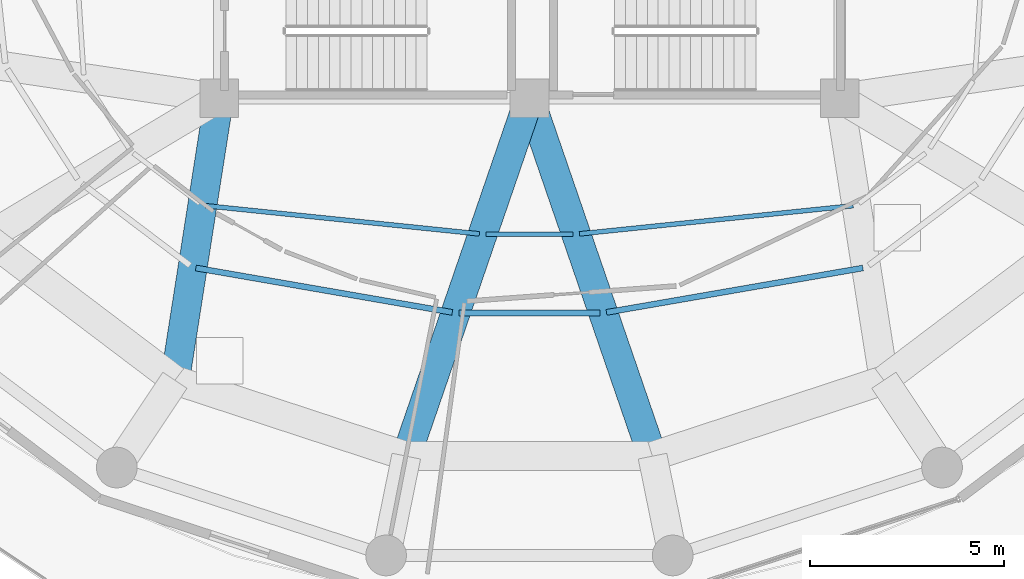
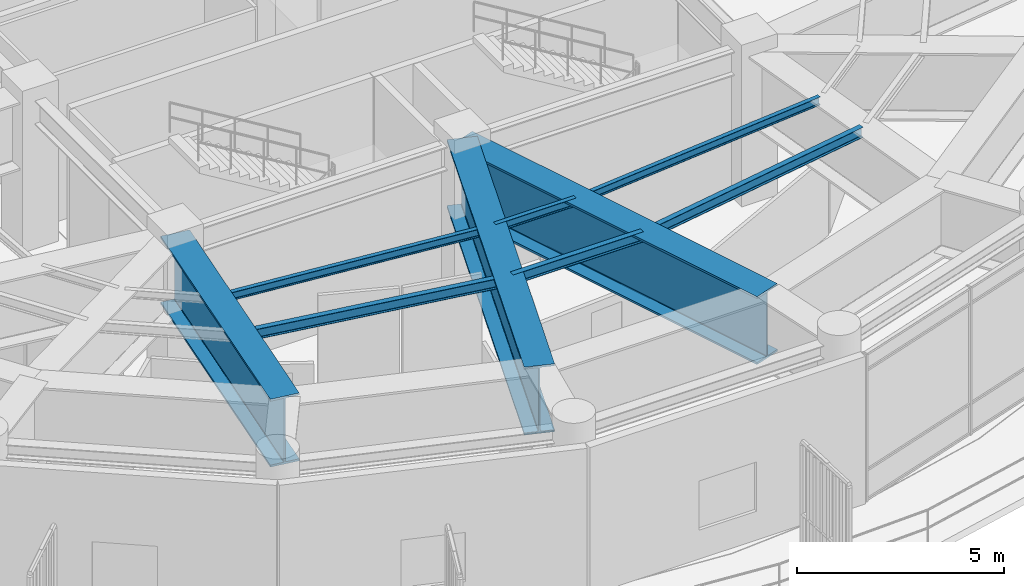
# One storey, part 5 of 29: 9 beams.
"""IFC4 building model written with IfcOpenShell, lengths in metres."""

from ifc_helpers import new_model, si_unit, direction, frame, origin, origin_2d, place, context, subcontext, project, spatial, i_section, extrude, material, material_profile, profile_set, type_object, element, save


model = new_model("IFC4")

# Units and contexts
model_context = context("Model", 3, precision=1e-05, world=origin(), true_north=direction((0.0, 1.0)))
body_context = subcontext(model_context, "Body", "Model", "MODEL_VIEW")
ifc_project = project(units=[si_unit("LENGTHUNIT", "METRE"), si_unit("AREAUNIT", "SQUARE_METRE"), si_unit("VOLUMEUNIT", "CUBIC_METRE"), si_unit("PLANEANGLEUNIT", "RADIAN"), si_unit("MASSUNIT", "GRAM", prefix="KILO")], contexts=[model_context])

# Site, building, storey
site_placement = place(None, origin())
site = spatial("IfcSite", under=ifc_project, at=site_placement, CompositionType="ELEMENT")
building_placement = place(site_placement, origin())
building = spatial("IfcBuilding", under=site, at=building_placement, Name="Kelanora Arch Commons", CompositionType="ELEMENT")
storey_placement = place(building_placement, frame((0.0, 0.0, 238.199951171875)))
storey = spatial("IfcBuildingStorey", under=building, at=storey_placement, Name="L61", CompositionType="ELEMENT", Elevation=238.199951171875)

# Beams
ifc_material = material(Name="Steel S355", Category="steel")
ifc_material_profile_1 = material_profile(ifc_material, i_section(OverallWidth=0.14990234375, OverallDepth=0.300048828125, WebThickness=0.007080078125, FlangeThickness=0.0107421875, FilletRadius=0.014892578125, at=origin_2d()), Name="IPE300")
ifc_profile_set_1 = profile_set([ifc_material_profile_1], Name="Steel S355")
beam_type_1 = type_object("IfcBeamType", Name="BM-JST-01", PredefinedType="JOIST", material=ifc_profile_set_1)
beam_1_placement = place(storey_placement, frame((65.39990234375, 46.622314453125, 4.2099609375), z_axis=(0.985321568263, -0.170708544357, 0.0), x_axis=(0.170708544357, 0.985321568263, 0.0)))
element("IfcBeam", 1, at=beam_1_placement, inside=storey, type_object=beam_type_1, Name="Secondary Chord Joist BJB-24 L61", PredefinedType="JOIST", context=body_context, shape_type="SweptSolid", body=[
    extrude(i_section(OverallWidth=0.14990234375, OverallDepth=0.300048828125, WebThickness=0.007080078125, FlangeThickness=0.0107421875, FilletRadius=0.014892578125, at=origin_2d()), origin(), (0.0, 0.0, 1.0), 6.710205078125),
])
beam_2_placement = place(storey_placement, frame((72.180419921875, 45.462158203125, 4.2099609375), z_axis=(1.0, 0.0, 0.0), x_axis=(0.0, 1.0, 0.0)))
element("IfcBeam", 2, at=beam_2_placement, inside=storey, type_object=beam_type_1, Name="Secondary Chord Joist BJB-26 L61", PredefinedType="JOIST", context=body_context, shape_type="SweptSolid", body=[
    extrude(i_section(OverallWidth=0.14990234375, OverallDepth=0.300048828125, WebThickness=0.007080078125, FlangeThickness=0.0107421875, FilletRadius=0.014892578125, at=origin_2d()), origin(), (0.0, 0.0, 1.0), 3.63916015625),
])
beam_3_placement = place(storey_placement, frame((75.98828125, 45.476806640625, 4.2099609375), z_axis=(0.985321568263, 0.170708544357, 0.0), x_axis=(-0.170708544357, 0.985321568263, 0.0)))
element("IfcBeam", 3, at=beam_3_placement, inside=storey, type_object=beam_type_1, Name="Secondary Chord Joist BJB-28 L61", PredefinedType="JOIST", context=body_context, shape_type="SweptSolid", body=[
    extrude(i_section(OverallWidth=0.14990234375, OverallDepth=0.300048828125, WebThickness=0.007080078125, FlangeThickness=0.0107421875, FilletRadius=0.014892578125, at=origin_2d()), origin(), (0.0, 0.0, 1.0), 6.710205078125),
])
ifc_material_profile_2 = material_profile(ifc_material, i_section(OverallWidth=0.1201171875, OverallDepth=0.239990234375, WebThickness=0.006103515625, FlangeThickness=0.009765625, FilletRadius=0.014892578125, at=origin_2d()), Name="IPE240")
ifc_profile_set_2 = profile_set([ifc_material_profile_2], Name="Steel S355")
beam_type_2 = type_object("IfcBeamType", Name="BM-JST-02", PredefinedType="JOIST", material=ifc_profile_set_2)
beam_4_placement = place(storey_placement, frame((65.6513671875, 48.227783203125, 4.239990234375), z_axis=(0.994746545688, -0.102368500239, 0.0), x_axis=(0.102368500239, 0.994746545688, 0.0)))
element("IfcBeam", 4, at=beam_4_placement, inside=storey, type_object=beam_type_2, Name="Secondary Chord Joist BJA-24 L61", PredefinedType="JOIST", context=body_context, shape_type="SweptSolid", body=[
    extrude(i_section(OverallWidth=0.1201171875, OverallDepth=0.239990234375, WebThickness=0.006103515625, FlangeThickness=0.009765625, FilletRadius=0.014892578125, at=origin_2d()), origin(), (0.0, 0.0, 1.0), 7.09521484375),
])
beam_5_placement = place(storey_placement, frame((72.87890625, 47.492919921875, 4.239990234375), z_axis=(1.0, 0.0, 0.0), x_axis=(0.0, 1.0, 0.0)))
element("IfcBeam", 5, at=beam_5_placement, inside=storey, type_object=beam_type_2, Name="Secondary Chord Joist BJA-26 L61", PredefinedType="JOIST", context=body_context, shape_type="SweptSolid", body=[
    extrude(i_section(OverallWidth=0.1201171875, OverallDepth=0.239990234375, WebThickness=0.006103515625, FlangeThickness=0.009765625, FilletRadius=0.014892578125, at=origin_2d()), origin(), (0.0, 0.0, 1.0), 2.2421875),
])
beam_6_placement = place(storey_placement, frame((75.290771484375, 47.50146484375, 4.239990234375), z_axis=(0.994746545688, 0.102368500239, 0.0), x_axis=(-0.102368500239, 0.994746545688, 0.0)))
element("IfcBeam", 6, at=beam_6_placement, inside=storey, type_object=beam_type_2, Name="Secondary Chord Joist BJA-28 L61", PredefinedType="JOIST", context=body_context, shape_type="SweptSolid", body=[
    extrude(i_section(OverallWidth=0.1201171875, OverallDepth=0.239990234375, WebThickness=0.006103515625, FlangeThickness=0.009765625, FilletRadius=0.014892578125, at=origin_2d()), origin(), (0.0, 0.0, 1.0), 7.09521484375),
])
ifc_material_profile_3 = material_profile(ifc_material, i_section(OverallWidth=0.75, OverallDepth=2.0, WebThickness=0.034912109375, FlangeThickness=0.06005859375, FilletRadius=0.028076171875, at=origin_2d()), Name="PG2000x750")
ifc_profile_set_3 = profile_set([ifc_material_profile_3], Name="Steel S355")
beam_type_3 = type_object("IfcBeamType", Name="BM-XFER-SET", PredefinedType="USERDEFINED", material=ifc_profile_set_3)
beam_7_placement = place(storey_placement, frame((66.0, 51.0, 3.360107421875), z_axis=(-0.154855424129, -0.987937142544, 0.0), x_axis=(0.987937142544, -0.154855424129, 0.0)))
element("IfcBeam", 7, at=beam_7_placement, inside=storey, type_object=beam_type_3, Name="Setback Radial Transfer Girder BRI-24 L61", ObjectType="TRANSFER_GIRDER", PredefinedType="USERDEFINED", context=body_context, shape_type="SweptSolid", body=[
    extrude(i_section(OverallWidth=0.75, OverallDepth=2.0, WebThickness=0.034912109375, FlangeThickness=0.06005859375, FilletRadius=0.028076171875, at=origin_2d()), origin(), (0.0, 0.0, 1.0), 7.361083984375),
])
for number, where, z_axis, x_axis, name in (
    (8, (74.0, 51.0, 3.360107421875), (-0.325233562807, -0.945633718532, 0.0), (0.945633718532, -0.325233562807, 0.0), "Setback Radial Transfer Girder BRI-26 L61"),
    (9, (74.0, 51.0, 3.360107421875), (0.325233562807, -0.945633718532, 0.0), (0.945633718532, 0.325233562807, 0.0), "Setback Radial Transfer Girder BRI-28 L61"),
):
    element("IfcBeam", number, at=place(storey_placement, frame(where, z_axis=z_axis, x_axis=x_axis)), inside=storey, type_object=beam_type_3, Name=name, ObjectType="TRANSFER_GIRDER", PredefinedType="USERDEFINED", context=body_context, shape_type="SweptSolid", body=[
        extrude(i_section(OverallWidth=0.75, OverallDepth=2.0, WebThickness=0.034912109375, FlangeThickness=0.06005859375, FilletRadius=0.028076171875, at=origin_2d()), origin(), (0.0, 0.0, 1.0), 9.760009765625),
    ])

save(model, "model.ifc")
